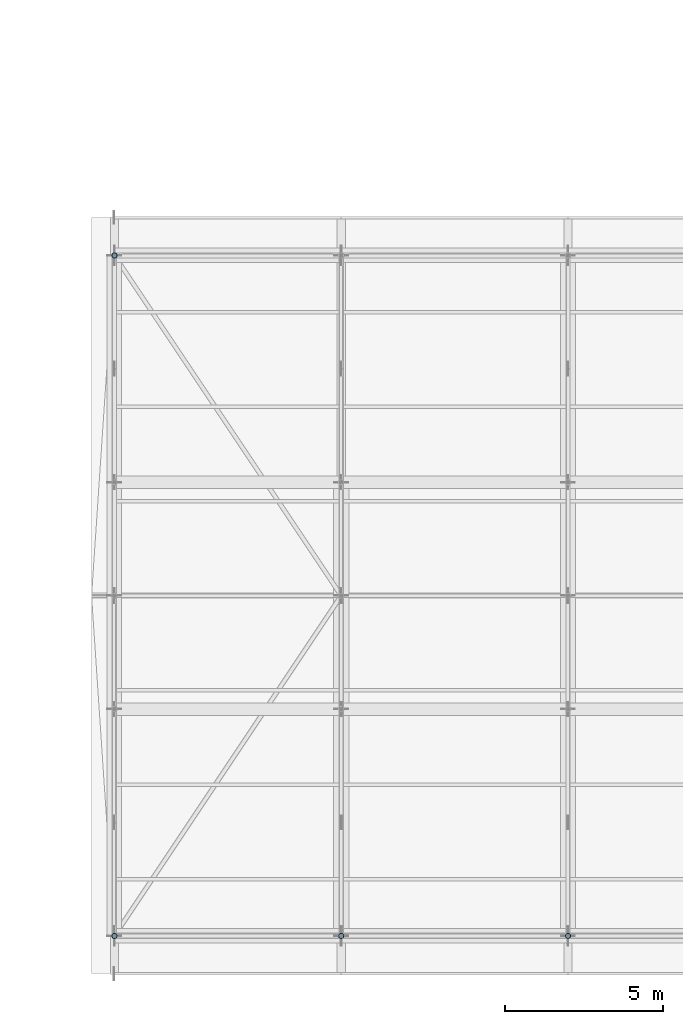
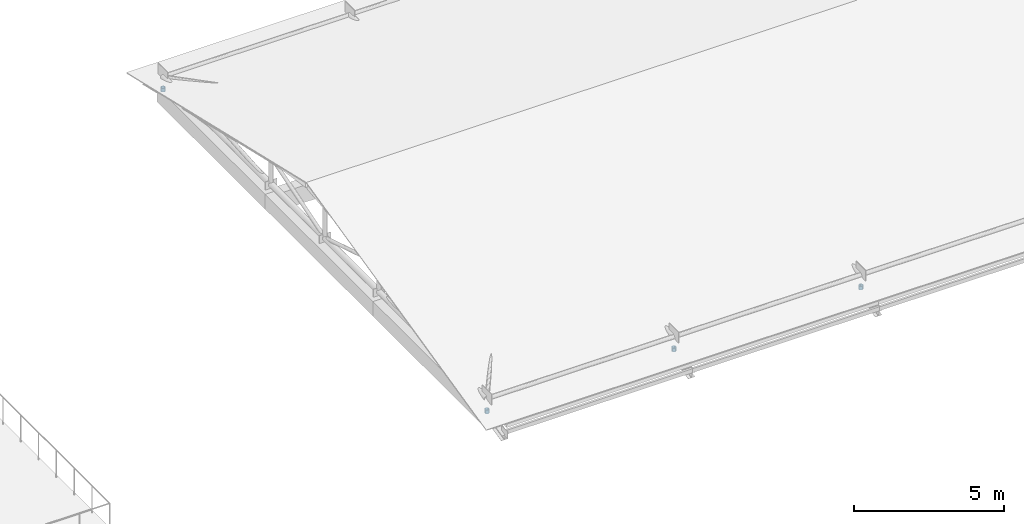
# One storey, part 57 of 84: 4 members.
"""IFC4 building model written with IfcOpenShell, lengths in metres."""

from ifc_helpers import new_model, si_unit, direction, frame, origin, origin_2d, place, context, subcontext, project, spatial, hollow_circle, extrude, material, material_profile, profile_set, type_object, element, save


model = new_model("IFC4")

# Units and contexts
model_context = context("Model", 3, precision=1e-05, world=origin(), true_north=direction((0.0, 1.0)))
body_context = subcontext(model_context, "Body", "Model", "MODEL_VIEW")
ifc_project = project(units=[si_unit("LENGTHUNIT", "METRE"), si_unit("AREAUNIT", "SQUARE_METRE"), si_unit("VOLUMEUNIT", "CUBIC_METRE"), si_unit("PLANEANGLEUNIT", "RADIAN"), si_unit("MASSUNIT", "GRAM", prefix="KILO")], contexts=[model_context])

# Site, building, storey
site_placement = place(None, origin())
site = spatial("IfcSite", under=ifc_project, at=site_placement, CompositionType="ELEMENT")
building_placement = place(site_placement, origin())
building = spatial("IfcBuilding", under=site, at=building_placement, Name="Zornivar Specialist Clinic", CompositionType="ELEMENT")
storey_placement = place(building_placement, frame((0.0, 0.0, 12.300048828125)))
storey = spatial("IfcBuildingStorey", under=building, at=storey_placement, Name="L03", CompositionType="ELEMENT", Elevation=12.300048828125)

# Members
ifc_material = material(Name="Steel S355J2", Category="steel")
ifc_material_profile = material_profile(ifc_material, hollow_circle(Radius=0.084228515625, WallThickness=0.010009765625, at=origin_2d()), Name="CHS 168.3x10")
ifc_profile_set = profile_set([ifc_material_profile], Name="Steel S355J2")
member_type = type_object("IfcMemberType", Name="MEM-STRUT-CHS168", PredefinedType="STRUT", material=ifc_profile_set)
for number, where, z_axis, x_axis, name in (
    (1, (57.60009765625, 0.0, -0.080078125), (0.0, 0.0, -1.0), (1.0, 0.0, 0.0), "mem:V3:L03:post:0:S"),
    (2, (57.60009765625, 21.60009765625, -0.080078125), (0.0, 0.0, -1.0), (1.0, 0.0, 0.0), "mem:V3:L03:post:0:N"),
    (3, (64.800048828125, 0.0, -0.080078125), (0.0, 0.0, -1.0), (1.0, 0.0, 0.0), "mem:V3:L03:post:1:S"),
    (4, (72.0, 0.0, -0.080078125), (0.0, 0.0, -1.0), (1.0, 0.0, 0.0), "mem:V3:L03:post:2:S"),
):
    element("IfcMember", number, at=place(storey_placement, frame(where, z_axis=z_axis, x_axis=x_axis)), inside=storey, type_object=member_type, Name=name, PredefinedType="STRUT", context=body_context, shape_type="SweptSolid", body=[
        extrude(hollow_circle(Radius=0.084228515625, WallThickness=0.010009765625, at=origin_2d()), origin(), (0.0, 0.0, 1.0), 0.14990234375),
    ])

save(model, "model.ifc")
